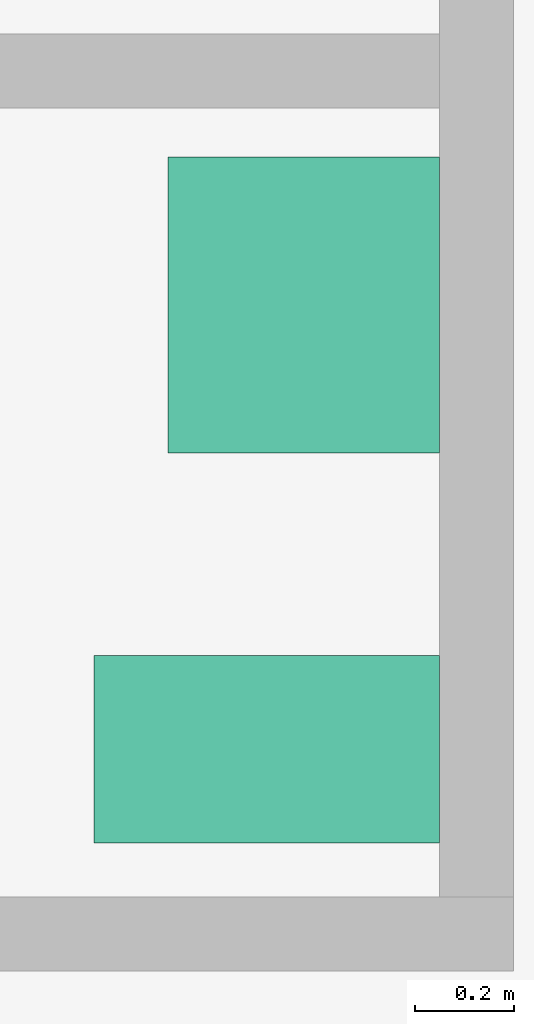
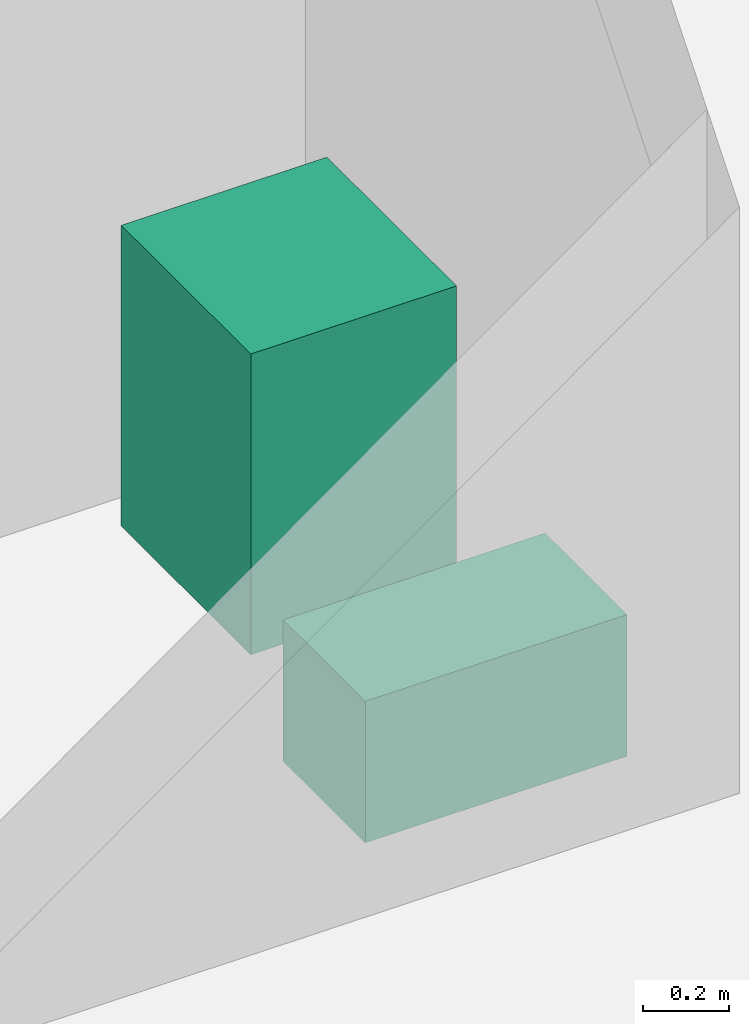
# One storey, part 12 of 12: 2 sanitary terminals.
"""IFC4 building model written with IfcOpenShell, lengths in metres."""

from ifc_helpers import new_model, si_unit, direction, frame, origin, origin_2d, place, context, subcontext, project, spatial, rectangle, extrude, material, element, save


model = new_model("IFC4")

# Units and contexts
model_context = context("Model", 3, precision=1e-05, world=origin(), true_north=direction((0.0, 1.0)))
body_context = subcontext(model_context, "Body", "Model", "MODEL_VIEW")
ifc_project = project(units=[si_unit("LENGTHUNIT", "METRE"), si_unit("AREAUNIT", "SQUARE_METRE"), si_unit("VOLUMEUNIT", "CUBIC_METRE"), si_unit("PLANEANGLEUNIT", "RADIAN"), si_unit("MASSUNIT", "GRAM", prefix="KILO")], contexts=[model_context])

# Site, building, storey
site_placement = place(None, origin())
site = spatial("IfcSite", under=ifc_project, at=site_placement, CompositionType="ELEMENT")
building_placement = place(site_placement, origin())
building = spatial("IfcBuilding", under=site, at=building_placement, Name="Kopane Lantern Tower", CompositionType="ELEMENT")
storey_placement = place(building_placement, frame((0.0, 0.0, 39.800048828125)))
storey = spatial("IfcBuildingStorey", under=building, at=storey_placement, Name="L08", CompositionType="ELEMENT", Elevation=39.800048828125)

# Sanitary terminals
ifc_material = material(Name="Vitreous china")
sanitary_terminal_1_placement = place(storey_placement, frame((34.550048828125, 28.35009765625, 0.0), z_axis=(0.0, 0.0, 1.0), x_axis=(1.0, 0.0, 0.0)))
element("IfcSanitaryTerminal", 1, at=sanitary_terminal_1_placement, inside=storey, material=ifc_material, Name="WC pan L08", PredefinedType="TOILETPAN", context=body_context, shape_type="SweptSolid", body=[
    extrude(rectangle(XDim=0.699951171875, YDim=0.3798828125, at=origin_2d()), origin(), (0.0, 0.0, 1.0), 0.39990234375),
])
sanitary_terminal_2_placement = place(storey_placement, frame((34.625, 29.25, 0.0), z_axis=(0.0, 0.0, 1.0), x_axis=(1.0, 0.0, 0.0)))
element("IfcSanitaryTerminal", 2, at=sanitary_terminal_2_placement, inside=storey, material=ifc_material, Name="Wash basin L08", PredefinedType="WASHHANDBASIN", context=body_context, shape_type="SweptSolid", body=[
    extrude(rectangle(XDim=0.550048828125, YDim=0.60009765625, at=origin_2d()), origin(), (0.0, 0.0, 1.0), 0.85009765625),
])

save(model, "model.ifc")
